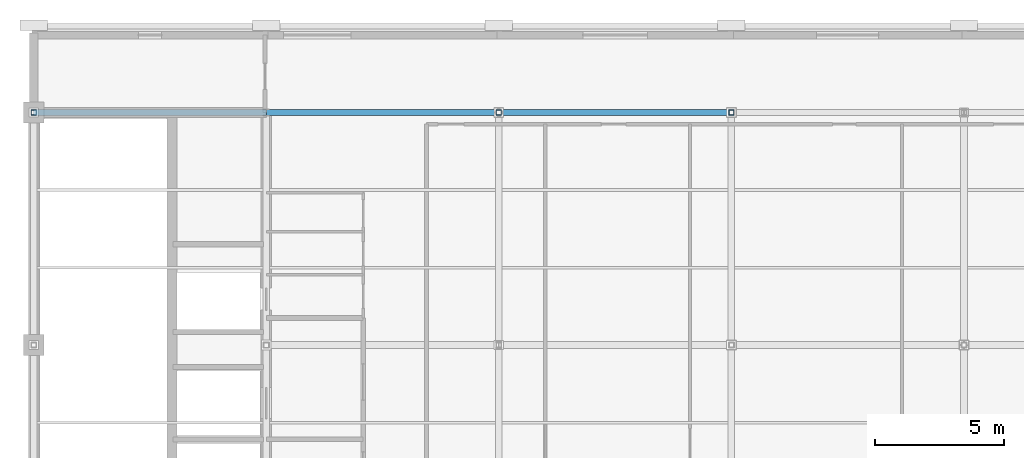
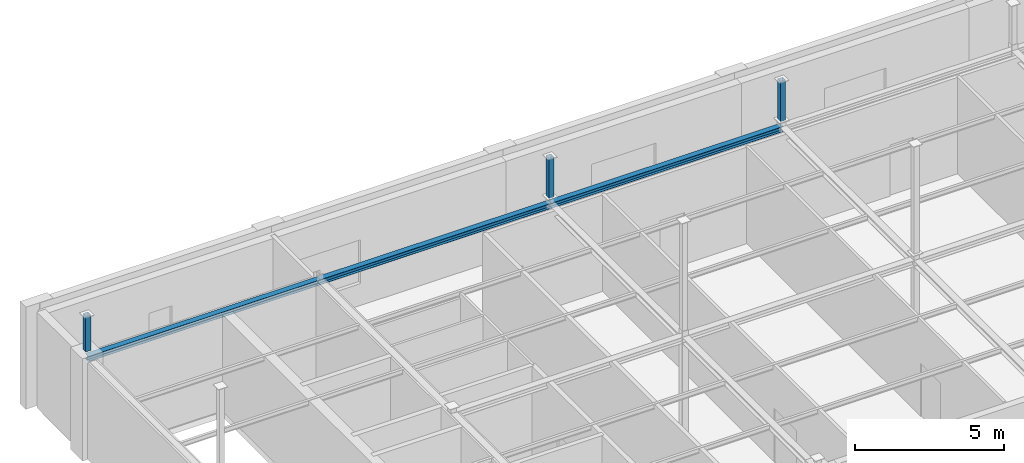
# One storey, part 5 of 13: 3 beams, 3 members.
"""IFC4 building model written with IfcOpenShell, lengths in metres."""

from ifc_helpers import new_model, si_unit, direction, frame, origin, origin_2d, place, context, subcontext, project, spatial, hollow_rectangle, i_section, extrude, material, material_profile, profile_set, type_object, element, save


model = new_model("IFC4")

# Units and contexts
model_context = context("Model", 3, precision=1e-05, world=origin(), true_north=direction((0.0, 1.0)))
body_context = subcontext(model_context, "Body", "Model", "MODEL_VIEW")
ifc_project = project(units=[si_unit("LENGTHUNIT", "METRE"), si_unit("AREAUNIT", "SQUARE_METRE"), si_unit("VOLUMEUNIT", "CUBIC_METRE"), si_unit("PLANEANGLEUNIT", "RADIAN"), si_unit("MASSUNIT", "GRAM", prefix="KILO")], contexts=[model_context])

# Site, building, storey
site_placement = place(None, origin())
site = spatial("IfcSite", under=ifc_project, at=site_placement, CompositionType="ELEMENT")
building_placement = place(site_placement, origin())
building = spatial("IfcBuilding", under=site, at=building_placement, Name="Lykobir Media Centre", CompositionType="ELEMENT")
storey_placement = place(building_placement, frame((0.0, 0.0, 36.0)))
storey = spatial("IfcBuildingStorey", under=building, at=storey_placement, Name="L08", CompositionType="ELEMENT", Elevation=36.0)

# Beams
ifc_material = material(Name="Steel S355", Category="steel")
ifc_material_profile_1 = material_profile(ifc_material, i_section(OverallWidth=0.219970703125, OverallDepth=0.2099609375, WebThickness=0.007080078125, FlangeThickness=0.010986328125, at=origin_2d()), Name="HEA 220")
ifc_profile_set_1 = profile_set([ifc_material_profile_1], Name="Steel S355")
beam_type = type_object("IfcBeamType", Name="SP-HEA220", PredefinedType="SPANDREL", material=ifc_profile_set_1)
for number, where, z_axis, x_axis, name in (
    (1, (27.0, 18.0, 3.875), (1.0, 0.0, 0.0), (0.0, 1.0, 0.0), "Beam BM-L08-0270-0180-0360-0180-3988"),
    (2, (36.0, 18.0, 3.875), (1.0, 0.0, 0.0), (0.0, 1.0, 0.0), "Beam BM-L08-0360-0180-0450-0180-3988"),
    (3, (45.0, 18.0, 3.875), (1.0, 0.0, 0.0), (0.0, 1.0, 0.0), "Beam BM-L08-0450-0180-0540-0180-3988"),
):
    element("IfcBeam", number, at=place(storey_placement, frame(where, z_axis=z_axis, x_axis=x_axis)), inside=storey, type_object=beam_type, Name=name, PredefinedType="SPANDREL", context=body_context, shape_type="SweptSolid", body=[
        extrude(i_section(OverallWidth=0.219970703125, OverallDepth=0.2099609375, WebThickness=0.007080078125, FlangeThickness=0.010986328125, at=origin_2d()), origin(), (0.0, 0.0, 1.0), 9.0),
    ])

# Members
ifc_material_profile_2 = material_profile(ifc_material, hollow_rectangle(XDim=0.199951171875, YDim=0.199951171875, WallThickness=0.010009765625, at=origin_2d()), Name="SHS 200x200x10")
ifc_profile_set_2 = profile_set([ifc_material_profile_2], Name="Steel S355")
member_type = type_object("IfcMemberType", Name="TC-SHS200", PredefinedType="CHORD", material=ifc_profile_set_2)
member_placement = place(storey_placement, frame((27.0, 18.0, 4.199951171875), z_axis=(0.0, 0.0, 1.0), x_axis=(1.0, 0.0, 0.0)))
element("IfcMember", 4, at=member_placement, inside=storey, type_object=member_type, Name="Truss chord MEM2-L08-0270-0180-0402-0270-0180-0045", PredefinedType="CHORD", context=body_context, shape_type="SweptSolid", body=[
    extrude(hollow_rectangle(XDim=0.199951171875, YDim=0.199951171875, WallThickness=0.010009765625, at=origin_2d()), origin(), (0.0, 0.0, 1.0), 1.457763671875),
])
for number, where, z_axis, x_axis, name in (
    (5, (45.0, 18.0, 4.199951171875), (0.0, 0.0, 1.0), (1.0, 0.0, 0.0), "Truss chord MEM2-L08-0450-0180-0402-0450-0180-0048"),
    (6, (54.0, 18.0, 4.199951171875), (0.0, 0.0, 1.0), (1.0, 0.0, 0.0), "Truss chord MEM2-L08-0540-0180-0402-0540-0180-0051"),
):
    element("IfcMember", number, at=place(storey_placement, frame(where, z_axis=z_axis, x_axis=x_axis)), inside=storey, type_object=member_type, Name=name, PredefinedType="CHORD", context=body_context, shape_type="SweptSolid", body=[
        extrude(hollow_rectangle(XDim=0.199951171875, YDim=0.199951171875, WallThickness=0.010009765625, at=origin_2d()), origin(), (0.0, 0.0, 1.0), 1.65576171875),
    ])

save(model, "model.ifc")
